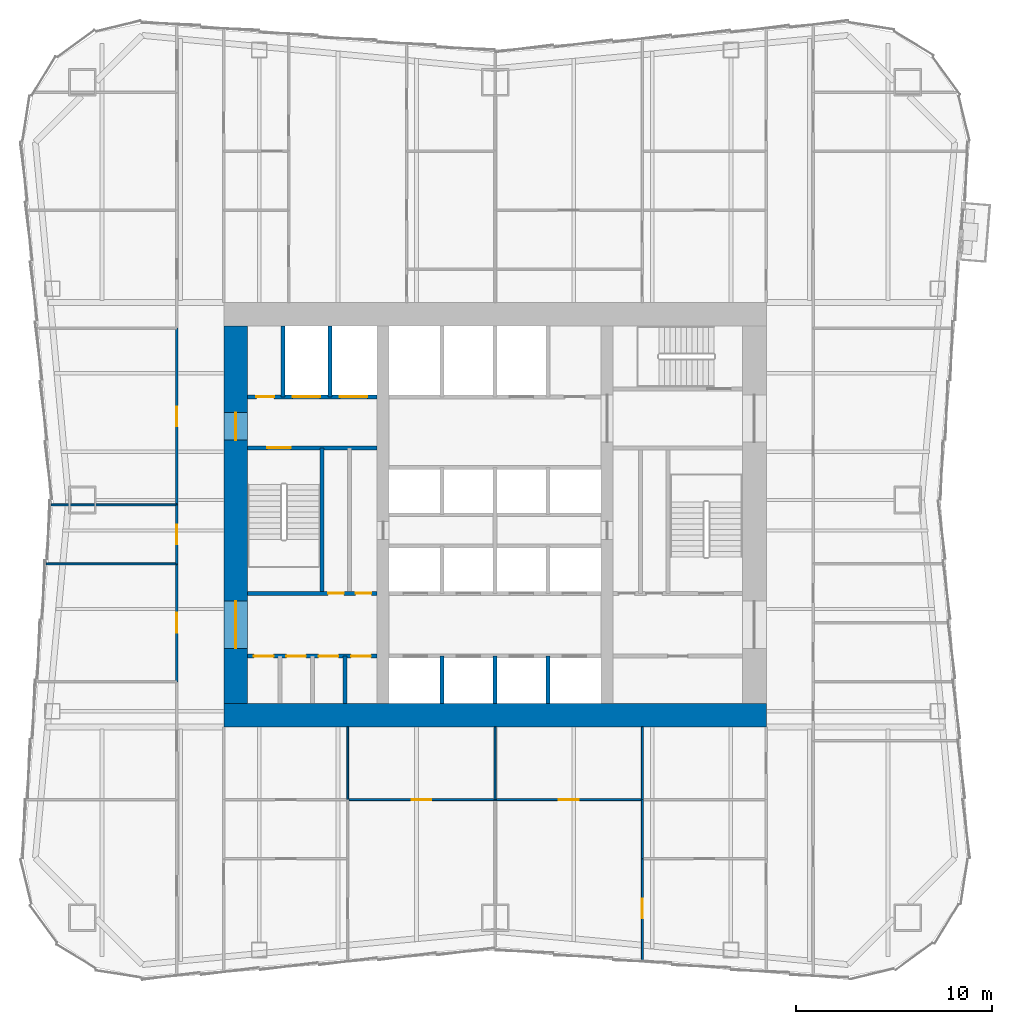
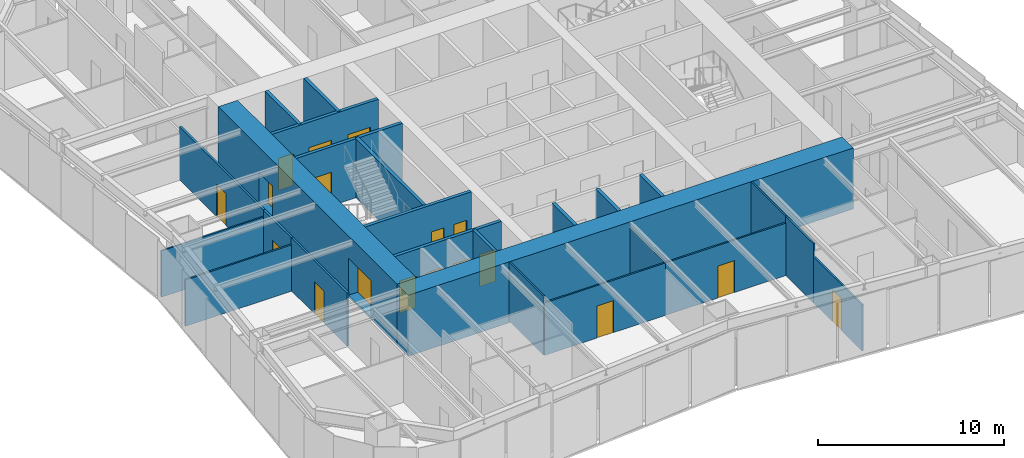
# One storey, part 4 of 9: 25 walls, 18 doors, 18 openings.
"""IFC4 building model written with IfcOpenShell, lengths in metres."""

from ifc_helpers import new_model, si_unit, direction, frame, frame_2d, origin, place, context, subcontext, project, spatial, rectangle, extrude, material, layer, layer_set, type_object, element, fill, save


model = new_model("IFC4")

# Units and contexts
model_context = context("Model", 3, precision=1e-05, world=origin(), true_north=direction((0.0, 1.0)))
body_context = subcontext(model_context, "Body", "Model", "MODEL_VIEW")
ifc_project = project(units=[si_unit("LENGTHUNIT", "METRE"), si_unit("AREAUNIT", "SQUARE_METRE"), si_unit("VOLUMEUNIT", "CUBIC_METRE"), si_unit("PLANEANGLEUNIT", "RADIAN"), si_unit("MASSUNIT", "GRAM", prefix="KILO")], contexts=[model_context])

# Site, building, storey
site_placement = place(None, origin())
site = spatial("IfcSite", under=ifc_project, at=site_placement, CompositionType="ELEMENT")
building_placement = place(site_placement, origin())
building = spatial("IfcBuilding", under=site, at=building_placement, Name="Verdant Reach Tower", CompositionType="ELEMENT")
storey_placement = place(building_placement, frame((0.0, 0.0, 74.0)))
storey = spatial("IfcBuildingStorey", under=building, at=storey_placement, Name="L16", CompositionType="ELEMENT", Elevation=74.0)

# Wall, openings, doors
ifc_material_1 = material(Name="Gypsum board on steel studs", Category="steel")
ifc_layer_1 = layer(ifc_material_1, 0.199951171875)
ifc_layer_set_1 = layer_set([ifc_layer_1], Name="CO-WALL-ROOM")
wall_type_1 = type_object("IfcWallType", Name="CO-WALL-ROOM", PredefinedType="PARTITIONING", material=ifc_layer_set_1)
wall_1_placement = place(storey_placement, frame((-12.60009765625, 20.800048828125, 0.0), z_axis=(0.0, 0.0, 1.0), x_axis=(1.0, 0.0, 0.0)))
wall_1 = element("IfcWall", 1, at=wall_1_placement, inside=storey, type_object=wall_type_1, Name="Core partition, L16", PredefinedType="PARTITIONING", context=body_context, shape_type="SweptSolid", body=[
    extrude(rectangle(XDim=6.60009765625, YDim=0.199951171875, at=frame_2d((3.300048828125, 0.0))), origin(), (0.0, 0.0, 1.0), 3.8701171875),
])
opening_1_placement = place(wall_1_placement, frame((0.324951171875, 0.0, 0.0)))
opening_1 = element("IfcOpeningElement", 2, at=opening_1_placement, cuts=wall_1, Name="Opening CD", PredefinedType="OPENING", context=body_context, shape_type="SweptSolid", body=[
    extrude(rectangle(XDim=1.0, YDim=2.10009765625, at=frame_2d((0.5, 1.050048828125))), frame((0.0, 0.10986328125, 0.0), z_axis=(0.0, -1.0, 0.0), x_axis=(1.0, 0.0, 0.0)), (0.0, 0.0, 1.0), 0.219970703125),
])
opening_2_placement = place(wall_1_placement, frame((1.97509765625, 0.0, 0.0)))
opening_2 = element("IfcOpeningElement", 3, at=opening_2_placement, cuts=wall_1, Name="Opening CD", PredefinedType="OPENING", context=body_context, shape_type="SweptSolid", body=[
    extrude(rectangle(XDim=1.0, YDim=2.10009765625, at=frame_2d((0.5, 1.050048828125))), frame((0.0, 0.10986328125, 0.0), z_axis=(0.0, -1.0, 0.0), x_axis=(1.0, 0.0, 0.0)), (0.0, 0.0, 1.0), 0.219970703125),
])
opening_3_placement = place(wall_1_placement, frame((3.625, 0.0, 0.0)))
opening_3 = element("IfcOpeningElement", 4, at=opening_3_placement, cuts=wall_1, Name="Opening CD", PredefinedType="OPENING", context=body_context, shape_type="SweptSolid", body=[
    extrude(rectangle(XDim=1.0, YDim=2.10009765625, at=frame_2d((0.5, 1.050048828125))), frame((0.0, 0.10986328125, 0.0), z_axis=(0.0, -1.0, 0.0), x_axis=(1.0, 0.0, 0.0)), (0.0, 0.0, 1.0), 0.219970703125),
])
opening_4_placement = place(wall_1_placement, frame((5.27490234375, 0.0, 0.0)))
opening_4 = element("IfcOpeningElement", 5, at=opening_4_placement, cuts=wall_1, Name="Opening CD", PredefinedType="OPENING", context=body_context, shape_type="SweptSolid", body=[
    extrude(rectangle(XDim=1.0, YDim=2.10009765625, at=frame_2d((0.5, 1.050048828125))), frame((0.0, 0.10986328125, 0.0), z_axis=(0.0, -1.0, 0.0), x_axis=(1.0, 0.0, 0.0)), (0.0, 0.0, 1.0), 0.219970703125),
])
ifc_material_2 = material(Name="Timber", Category="wood")
door_type_1 = type_object("IfcDoorType", Name="CO-DOOR-ROOM", OperationType="NOTDEFINED", PredefinedType="DOOR", material=ifc_material_2)
door_1_placement = place(opening_1_placement, origin())
door_1 = element("IfcDoor", 6, at=door_1_placement, inside=storey, type_object=door_type_1, Name="Core room door, L16", OperationType="SINGLE_SWING_RIGHT", OverallHeight=2.10009765625, OverallWidth=1.0, PredefinedType="DOOR", context=body_context, shape_type="SweptSolid", body=[
    extrude(rectangle(XDim=1.0, YDim=2.10009765625, at=frame_2d((0.5, 1.050048828125))), frame((0.0, 0.02490234375, 0.0), z_axis=(0.0, -1.0, 0.0), x_axis=(1.0, 0.0, 0.0)), (0.0, 0.0, 1.0), 0.050048828125),
])
fill(opening_1, door_1)
door_2_placement = place(opening_2_placement, origin())
door_2 = element("IfcDoor", 7, at=door_2_placement, inside=storey, type_object=door_type_1, Name="Core room door, L16", OperationType="SINGLE_SWING_RIGHT", OverallHeight=2.10009765625, OverallWidth=1.0, PredefinedType="DOOR", context=body_context, shape_type="SweptSolid", body=[
    extrude(rectangle(XDim=1.0, YDim=2.10009765625, at=frame_2d((0.5, 1.050048828125))), frame((0.0, 0.02490234375, 0.0), z_axis=(0.0, -1.0, 0.0), x_axis=(1.0, 0.0, 0.0)), (0.0, 0.0, 1.0), 0.050048828125),
])
fill(opening_2, door_2)
door_3_placement = place(opening_3_placement, origin())
door_3 = element("IfcDoor", 8, at=door_3_placement, inside=storey, type_object=door_type_1, Name="Core room door, L16", OperationType="SINGLE_SWING_LEFT", OverallHeight=2.10009765625, OverallWidth=1.0, PredefinedType="DOOR", context=body_context, shape_type="SweptSolid", body=[
    extrude(rectangle(XDim=1.0, YDim=2.10009765625, at=frame_2d((0.5, 1.050048828125))), frame((0.0, 0.02490234375, 0.0), z_axis=(0.0, -1.0, 0.0), x_axis=(1.0, 0.0, 0.0)), (0.0, 0.0, 1.0), 0.050048828125),
])
fill(opening_3, door_3)
door_4_placement = place(opening_4_placement, origin())
door_4 = element("IfcDoor", 9, at=door_4_placement, inside=storey, type_object=door_type_1, Name="Core room door, L16", OperationType="SINGLE_SWING_LEFT", OverallHeight=2.10009765625, OverallWidth=1.0, PredefinedType="DOOR", context=body_context, shape_type="SweptSolid", body=[
    extrude(rectangle(XDim=1.0, YDim=2.10009765625, at=frame_2d((0.5, 1.050048828125))), frame((0.0, 0.02490234375, 0.0), z_axis=(0.0, -1.0, 0.0), x_axis=(1.0, 0.0, 0.0)), (0.0, 0.0, 1.0), 0.050048828125),
])
fill(opening_4, door_4)

# Wall
wall_2_placement = place(storey_placement, frame((-7.64990234375, 18.39990234375, 0.0), z_axis=(0.0, 0.0, 1.0), x_axis=(0.0, 1.0, 0.0)))
element("IfcWall", 10, at=wall_2_placement, inside=storey, type_object=wall_type_1, Name="Core partition, L16", PredefinedType="PARTITIONING", context=body_context, shape_type="SweptSolid", body=[
    extrude(rectangle(XDim=2.400146484375, YDim=0.199951171875, at=frame_2d((1.2001953125, 0.0))), origin(), (0.0, 0.0, 1.0), 3.8701171875),
])

# Wall, openings, doors
ifc_material_3 = material(Name="Concrete C40/50", Category="concrete")
ifc_layer_2 = layer(ifc_material_3, 0.199951171875)
ifc_layer_set_2 = layer_set([ifc_layer_2], Name="CO-WALL-SHAFT")
wall_type_2 = type_object("IfcWallType", Name="CO-WALL-SHAFT", PredefinedType="PARTITIONING", material=ifc_layer_set_2)
wall_3_placement = place(storey_placement, frame((-12.60009765625, 34.0, 0.0), z_axis=(0.0, 0.0, 1.0), x_axis=(1.0, 0.0, 0.0)))
wall_3 = element("IfcWall", 11, at=wall_3_placement, inside=storey, type_object=wall_type_2, Name="Lift shaft wall, L16", PredefinedType="PARTITIONING", context=body_context, shape_type="SweptSolid", body=[
    extrude(rectangle(XDim=6.60009765625, YDim=0.199951171875, at=frame_2d((3.300048828125, 0.0))), origin(), (0.0, 0.0, 1.0), 3.8701171875),
])
opening_5_placement = place(wall_3_placement, frame((4.699951171875, 0.0, 0.0)))
opening_5 = element("IfcOpeningElement", 12, at=opening_5_placement, cuts=wall_3, Name="Opening LD-F1", PredefinedType="OPENING", context=body_context, shape_type="SweptSolid", body=[
    extrude(rectangle(XDim=1.39990234375, YDim=2.199951171875, at=frame_2d((0.699951171875, 1.10009765625))), frame((0.0, 0.10986328125, 0.0), z_axis=(0.0, -1.0, 0.0), x_axis=(1.0, 0.0, 0.0)), (0.0, 0.0, 1.0), 0.219970703125),
])
opening_6_placement = place(wall_3_placement, frame((2.300048828125, 0.0, 0.0)))
opening_6 = element("IfcOpeningElement", 13, at=opening_6_placement, cuts=wall_3, Name="Opening LD-F2", PredefinedType="OPENING", context=body_context, shape_type="SweptSolid", body=[
    extrude(rectangle(XDim=1.39990234375, YDim=2.199951171875, at=frame_2d((0.699951171875, 1.10009765625))), frame((0.0, 0.10986328125, 0.0), z_axis=(0.0, -1.0, 0.0), x_axis=(1.0, 0.0, 0.0)), (0.0, 0.0, 1.0), 0.219970703125),
])
opening_7_placement = place(wall_3_placement, frame((0.449951171875, 0.0, 0.0)))
opening_7 = element("IfcOpeningElement", 14, at=opening_7_placement, cuts=wall_3, Name="Opening RD", PredefinedType="OPENING", context=body_context, shape_type="SweptSolid", body=[
    extrude(rectangle(XDim=0.89990234375, YDim=2.10009765625, at=frame_2d((0.449951171875, 1.050048828125))), frame((0.0, 0.10986328125, 0.0), z_axis=(0.0, -1.0, 0.0), x_axis=(1.0, 0.0, 0.0)), (0.0, 0.0, 1.0), 0.219970703125),
])
ifc_material_4 = material(Name="Stainless steel", Category="steel")
door_type_2 = type_object("IfcDoorType", Name="CO-DOOR-LANDING-FF", OperationType="SLIDING_TO_LEFT", PredefinedType="DOOR", material=ifc_material_4)
door_5_placement = place(opening_5_placement, origin())
door_5 = element("IfcDoor", 15, at=door_5_placement, inside=storey, type_object=door_type_2, Name="Landing door F1, L16", OperationType="SLIDING_TO_LEFT", OverallHeight=2.199951171875, OverallWidth=1.39990234375, PredefinedType="DOOR", context=body_context, shape_type="SweptSolid", body=[
    extrude(rectangle(XDim=1.39990234375, YDim=2.199951171875, at=frame_2d((0.699951171875, 1.10009765625))), frame((0.0, 0.02490234375, 0.0), z_axis=(0.0, -1.0, 0.0), x_axis=(1.0, 0.0, 0.0)), (0.0, 0.0, 1.0), 0.050048828125),
])
fill(opening_5, door_5)
door_6_placement = place(opening_6_placement, origin())
door_6 = element("IfcDoor", 16, at=door_6_placement, inside=storey, type_object=door_type_2, Name="Landing door F2, L16", OperationType="SLIDING_TO_LEFT", OverallHeight=2.199951171875, OverallWidth=1.39990234375, PredefinedType="DOOR", context=body_context, shape_type="SweptSolid", body=[
    extrude(rectangle(XDim=1.39990234375, YDim=2.199951171875, at=frame_2d((0.699951171875, 1.10009765625))), frame((0.0, 0.02490234375, 0.0), z_axis=(0.0, -1.0, 0.0), x_axis=(1.0, 0.0, 0.0)), (0.0, 0.0, 1.0), 0.050048828125),
])
fill(opening_6, door_6)
ifc_material_5 = material(Name="Steel", Category="steel")
door_type_3 = type_object("IfcDoorType", Name="CO-DOOR-RISER", OperationType="NOTDEFINED", PredefinedType="DOOR", material=ifc_material_5)
door_7_placement = place(opening_7_placement, origin())
door_7 = element("IfcDoor", 17, at=door_7_placement, inside=storey, type_object=door_type_3, Name="Core room door, L16", OperationType="SINGLE_SWING_RIGHT", OverallHeight=2.10009765625, OverallWidth=0.89990234375, PredefinedType="DOOR", context=body_context, shape_type="SweptSolid", body=[
    extrude(rectangle(XDim=0.89990234375, YDim=2.10009765625, at=frame_2d((0.449951171875, 1.050048828125))), frame((0.0, 0.02490234375, 0.0), z_axis=(0.0, -1.0, 0.0), x_axis=(1.0, 0.0, 0.0)), (0.0, 0.0, 1.0), 0.050048828125),
])
fill(opening_7, door_7)

# Walls
for number, where, z_axis, x_axis, name in (
    (18, (-10.800048828125, 34.0, 0.0), (0.0, 0.0, 1.0), (0.0, 1.0, 0.0), "Lift shaft wall, L16"),
    (19, (-8.39990234375, 34.0, 0.0), (0.0, 0.0, 1.0), (0.0, 1.0, 0.0), "Lift shaft wall, L16"),
):
    element("IfcWall", number, at=place(storey_placement, frame(where, z_axis=z_axis, x_axis=x_axis)), inside=storey, type_object=wall_type_2, Name=name, PredefinedType="PARTITIONING", context=body_context, shape_type="SweptSolid", body=[
        extrude(rectangle(XDim=3.60009765625, YDim=0.199951171875, at=frame_2d((1.800048828125, 0.0))), origin(), (0.0, 0.0, 1.0), 3.8701171875),
    ])
for number, where, z_axis, x_axis, name in (
    (20, (-2.699951171875, 18.39990234375, 0.0), (0.0, 0.0, 1.0), (0.0, 1.0, 0.0), "Lift shaft wall, L16"),
    (21, (0.0, 18.39990234375, 0.0), (0.0, 0.0, 1.0), (0.0, 1.0, 0.0), "Lift shaft wall, L16"),
    (22, (2.699951171875, 18.39990234375, 0.0), (0.0, 0.0, 1.0), (0.0, 1.0, 0.0), "Lift shaft wall, L16"),
):
    element("IfcWall", number, at=place(storey_placement, frame(where, z_axis=z_axis, x_axis=x_axis)), inside=storey, type_object=wall_type_2, Name=name, PredefinedType="PARTITIONING", context=body_context, shape_type="SweptSolid", body=[
        extrude(rectangle(XDim=2.400146484375, YDim=0.199951171875, at=frame_2d((1.2001953125, 0.0))), origin(), (0.0, 0.0, 1.0), 3.8701171875),
    ])

# Wall, openings, doors
ifc_layer_3 = layer(ifc_material_3, 0.199951171875)
ifc_layer_set_3 = layer_set([ifc_layer_3], Name="CO-WALL-STAIR")
wall_type_3 = type_object("IfcWallType", Name="CO-WALL-STAIR", PredefinedType="PARTITIONING", material=ifc_layer_set_3)
wall_4_placement = place(storey_placement, frame((-12.60009765625, 24.0, 0.0), z_axis=(0.0, 0.0, 1.0), x_axis=(1.0, 0.0, 0.0)))
wall_4 = element("IfcWall", 23, at=wall_4_placement, inside=storey, type_object=wall_type_3, Name="Stair enclosure wall, L16", PredefinedType="PARTITIONING", context=body_context, shape_type="SweptSolid", body=[
    extrude(rectangle(XDim=6.60009765625, YDim=0.199951171875, at=frame_2d((3.300048828125, 0.0))), origin(), (0.0, 0.0, 1.0), 3.8701171875),
])
opening_8_placement = place(wall_4_placement, frame((4.10009765625, 0.0, 0.0)))
opening_8 = element("IfcOpeningElement", 24, at=opening_8_placement, cuts=wall_4, Name="Opening CDN", PredefinedType="OPENING", context=body_context, shape_type="SweptSolid", body=[
    extrude(rectangle(XDim=0.800048828125, YDim=2.10009765625, at=frame_2d((0.39990234375, 1.050048828125))), frame((0.0, 0.10986328125, 0.0), z_axis=(0.0, -1.0, 0.0), x_axis=(1.0, 0.0, 0.0)), (0.0, 0.0, 1.0), 0.219970703125),
])
opening_9_placement = place(wall_4_placement, frame((5.5, 0.0, 0.0)))
opening_9 = element("IfcOpeningElement", 25, at=opening_9_placement, cuts=wall_4, Name="Opening CDN", PredefinedType="OPENING", context=body_context, shape_type="SweptSolid", body=[
    extrude(rectangle(XDim=0.800048828125, YDim=2.10009765625, at=frame_2d((0.39990234375, 1.050048828125))), frame((0.0, 0.10986328125, 0.0), z_axis=(0.0, -1.0, 0.0), x_axis=(1.0, 0.0, 0.0)), (0.0, 0.0, 1.0), 0.219970703125),
])
door_type_4 = type_object("IfcDoorType", Name="CO-DOOR-ROOM-NARROW", OperationType="NOTDEFINED", PredefinedType="DOOR", material=ifc_material_2)
door_8_placement = place(opening_8_placement, origin())
door_8 = element("IfcDoor", 26, at=door_8_placement, inside=storey, type_object=door_type_4, Name="Core room door, L16", OperationType="SINGLE_SWING_RIGHT", OverallHeight=2.10009765625, OverallWidth=0.800048828125, PredefinedType="DOOR", context=body_context, shape_type="SweptSolid", body=[
    extrude(rectangle(XDim=0.800048828125, YDim=2.10009765625, at=frame_2d((0.39990234375, 1.050048828125))), frame((0.0, 0.02490234375, 0.0), z_axis=(0.0, -1.0, 0.0), x_axis=(1.0, 0.0, 0.0)), (0.0, 0.0, 1.0), 0.050048828125),
])
fill(opening_8, door_8)
door_9_placement = place(opening_9_placement, origin())
door_9 = element("IfcDoor", 27, at=door_9_placement, inside=storey, type_object=door_type_4, Name="Core room door, L16", OperationType="SINGLE_SWING_LEFT", OverallHeight=2.10009765625, OverallWidth=0.800048828125, PredefinedType="DOOR", context=body_context, shape_type="SweptSolid", body=[
    extrude(rectangle(XDim=0.800048828125, YDim=2.10009765625, at=frame_2d((0.39990234375, 1.050048828125))), frame((0.0, 0.02490234375, 0.0), z_axis=(0.0, -1.0, 0.0), x_axis=(1.0, 0.0, 0.0)), (0.0, 0.0, 1.0), 0.050048828125),
])
fill(opening_9, door_9)

# Wall, opening, door
wall_5_placement = place(storey_placement, frame((-12.60009765625, 31.39990234375, 0.0), z_axis=(0.0, 0.0, 1.0), x_axis=(1.0, 0.0, 0.0)))
wall_5 = element("IfcWall", 28, at=wall_5_placement, inside=storey, type_object=wall_type_3, Name="Stair enclosure wall, L16", PredefinedType="PARTITIONING", context=body_context, shape_type="SweptSolid", body=[
    extrude(rectangle(XDim=6.60009765625, YDim=0.199951171875, at=frame_2d((3.300048828125, 0.0))), origin(), (0.0, 0.0, 1.0), 3.8701171875),
])
opening_10_placement = place(wall_5_placement, frame((1.0, 0.0, 0.0)))
opening_10 = element("IfcOpeningElement", 29, at=opening_10_placement, cuts=wall_5, Name="Opening SD", PredefinedType="OPENING", context=body_context, shape_type="SweptSolid", body=[
    extrude(rectangle(XDim=1.199951171875, YDim=2.199951171875, at=frame_2d((0.60009765625, 1.10009765625))), frame((0.0, 0.10986328125, 0.0), z_axis=(0.0, -1.0, 0.0), x_axis=(1.0, 0.0, 0.0)), (0.0, 0.0, 1.0), 0.219970703125),
])
door_type_5 = type_object("IfcDoorType", Name="CO-DOOR-STAIR", OperationType="NOTDEFINED", PredefinedType="DOOR", material=ifc_material_5)
door_10_placement = place(opening_10_placement, origin())
door_10 = element("IfcDoor", 30, at=door_10_placement, inside=storey, type_object=door_type_5, Name="Stair door, L16", OperationType="SINGLE_SWING_RIGHT", OverallHeight=2.199951171875, OverallWidth=1.199951171875, PredefinedType="DOOR", context=body_context, shape_type="SweptSolid", body=[
    extrude(rectangle(XDim=1.199951171875, YDim=2.199951171875, at=frame_2d((0.60009765625, 1.10009765625))), frame((0.0, 0.02490234375, 0.0), z_axis=(0.0, -1.0, 0.0), x_axis=(1.0, 0.0, 0.0)), (0.0, 0.0, 1.0), 0.050048828125),
])
fill(opening_10, door_10)

# Walls
wall_6_placement = place(storey_placement, frame((-8.800048828125, 24.0, 0.0), z_axis=(0.0, 0.0, 1.0), x_axis=(0.0, 1.0, 0.0)))
element("IfcWall", 31, at=wall_6_placement, inside=storey, type_object=wall_type_3, Name="Stair enclosure wall, L16", PredefinedType="PARTITIONING", context=body_context, shape_type="SweptSolid", body=[
    extrude(rectangle(XDim=7.39990234375, YDim=0.199951171875, at=frame_2d((3.699951171875, 0.0))), origin(), (0.0, 0.0, 1.0), 3.8701171875),
])
ifc_layer_4 = layer(ifc_material_1, 0.10009765625)
ifc_layer_set_4 = layer_set([ifc_layer_4], Name="FL-W1 Partition 100")
wall_type_4 = type_object("IfcWallType", Name="FL-W1 Partition 100", PredefinedType="PARTITIONING", material=ifc_layer_set_4)
wall_7_placement = place(storey_placement, frame((-16.199951171875, 25.5, 0.0), z_axis=(0.0, 0.0, 1.0), x_axis=(-1.0, 0.0, 0.0)))
element("IfcWall", 32, at=wall_7_placement, inside=storey, type_object=wall_type_4, Name="Partition 16.31", PredefinedType="PARTITIONING", context=body_context, shape_type="SweptSolid", body=[
    extrude(rectangle(XDim=6.647216796875, YDim=0.10009765625, at=frame_2d((3.32373046875, 0.0))), origin(), (0.0, 0.0, 1.0), 3.0400390625),
])
wall_8_placement = place(storey_placement, frame((-16.199951171875, 28.5, 0.0), z_axis=(0.0, 0.0, 1.0), x_axis=(-1.0, 0.0, 0.0)))
element("IfcWall", 33, at=wall_8_placement, inside=storey, type_object=wall_type_4, Name="Partition 16.32", PredefinedType="PARTITIONING", context=body_context, shape_type="SweptSolid", body=[
    extrude(rectangle(XDim=6.400634765625, YDim=0.10009765625, at=frame_2d((3.2001953125, 0.0))), origin(), (0.0, 0.0, 1.0), 3.0400390625),
])
wall_9_placement = place(storey_placement, frame((-7.5, 13.5, 0.0), z_axis=(0.0, 0.0, 1.0), x_axis=(0.0, 1.0, 0.0)))
element("IfcWall", 34, at=wall_9_placement, inside=storey, type_object=wall_type_4, Name="Partition 16.47", PredefinedType="PARTITIONING", context=body_context, shape_type="SweptSolid", body=[
    extrude(rectangle(XDim=3.699951171875, YDim=0.10009765625, at=frame_2d((1.85009765625, 0.0))), origin(), (0.0, 0.0, 1.0), 3.8701171875),
])

# Wall, opening, door
wall_10_placement = place(storey_placement, frame((-7.5, 13.5, 0.0), z_axis=(0.0, 0.0, 1.0), x_axis=(1.0, 0.0, 0.0)))
wall_10 = element("IfcWall", 35, at=wall_10_placement, inside=storey, type_object=wall_type_4, Name="Partition 16.48", PredefinedType="PARTITIONING", context=body_context, shape_type="SweptSolid", body=[
    extrude(rectangle(XDim=7.5, YDim=0.10009765625, at=frame_2d((3.75, 0.0))), origin(), (0.0, 0.0, 1.0), 3.43994140625),
])
opening_11_placement = place(wall_10_placement, frame((3.25, 0.0, 0.0)))
opening_11 = element("IfcOpeningElement", 36, at=opening_11_placement, cuts=wall_10, Name="Opening D3", PredefinedType="OPENING", context=body_context, shape_type="SweptSolid", body=[
    extrude(rectangle(XDim=1.0, YDim=2.10009765625, at=frame_2d((0.5, 1.050048828125))), frame((0.0, 0.06005859375, 0.0), z_axis=(0.0, -1.0, 0.0), x_axis=(1.0, 0.0, 0.0)), (0.0, 0.0, 1.0), 0.1201171875),
])
ifc_material_6 = material(Name="Painted timber door leaf", Category="wood")
door_type_6 = type_object("IfcDoorType", Name="FL-D3 Door 1000x2100", OperationType="NOTDEFINED", PredefinedType="DOOR", material=ifc_material_6)
door_11_placement = place(opening_11_placement, origin())
door_11 = element("IfcDoor", 37, at=door_11_placement, inside=storey, type_object=door_type_6, Name="Door 16-026", OperationType="SINGLE_SWING_RIGHT", OverallHeight=2.10009765625, OverallWidth=1.0, PredefinedType="DOOR", context=body_context, shape_type="SweptSolid", body=[
    extrude(rectangle(XDim=1.0, YDim=2.10009765625, at=frame_2d((0.5, 1.050048828125))), frame((0.0, 0.02490234375, 0.0), z_axis=(0.0, -1.0, 0.0), x_axis=(1.0, 0.0, 0.0)), (0.0, 0.0, 1.0), 0.050048828125),
])
fill(opening_11, door_11)

# Wall
wall_11_placement = place(storey_placement, frame((0.0, 13.5, 0.0), z_axis=(0.0, 0.0, 1.0), x_axis=(0.0, 1.0, 0.0)))
element("IfcWall", 38, at=wall_11_placement, inside=storey, type_object=wall_type_4, Name="Partition 16.50", PredefinedType="PARTITIONING", context=body_context, shape_type="SweptSolid", body=[
    extrude(rectangle(XDim=3.699951171875, YDim=0.10009765625, at=frame_2d((1.85009765625, 0.0))), origin(), (0.0, 0.0, 1.0), 3.47998046875),
])

# Wall, opening, door
wall_12_placement = place(storey_placement, frame((7.5, 5.294921875, 0.0), z_axis=(0.0, 0.0, 1.0), x_axis=(0.0, 1.0, 0.0)))
wall_12 = element("IfcWall", 39, at=wall_12_placement, inside=storey, type_object=wall_type_4, Name="Partition 16.52", PredefinedType="PARTITIONING", context=body_context, shape_type="SweptSolid", body=[
    extrude(rectangle(XDim=5.208984375, YDim=0.10009765625, at=frame_2d((2.6044921875, 0.0))), origin(), (0.0, 0.0, 1.0), 3.0400390625),
])
opening_12_placement = place(wall_12_placement, frame((2.169677734375, 0.0, 0.0)))
opening_12 = element("IfcOpeningElement", 40, at=opening_12_placement, cuts=wall_12, Name="Opening D3", PredefinedType="OPENING", context=body_context, shape_type="SweptSolid", body=[
    extrude(rectangle(XDim=1.0, YDim=2.10009765625, at=frame_2d((0.5, 1.050048828125))), frame((0.0, 0.06005859375, 0.0), z_axis=(0.0, -1.0, 0.0), x_axis=(1.0, 0.0, 0.0)), (0.0, 0.0, 1.0), 0.1201171875),
])
door_12_placement = place(opening_12_placement, origin())
door_12 = element("IfcDoor", 41, at=door_12_placement, inside=storey, type_object=door_type_6, Name="Door 16-028", OperationType="SINGLE_SWING_RIGHT", OverallHeight=2.10009765625, OverallWidth=1.0, PredefinedType="DOOR", context=body_context, shape_type="SweptSolid", body=[
    extrude(rectangle(XDim=1.0, YDim=2.10009765625, at=frame_2d((0.5, 1.050048828125))), frame((0.0, 0.02490234375, 0.0), z_axis=(0.0, -1.0, 0.0), x_axis=(1.0, 0.0, 0.0)), (0.0, 0.0, 1.0), 0.050048828125),
])
fill(opening_12, door_12)

# Walls
wall_13_placement = place(storey_placement, frame((7.5, 13.5, 0.0), z_axis=(0.0, 0.0, 1.0), x_axis=(0.0, -1.0, 0.0)))
element("IfcWall", 42, at=wall_13_placement, inside=storey, type_object=wall_type_4, Name="Partition 16.54", PredefinedType="PARTITIONING", context=body_context, shape_type="SweptSolid", body=[
    extrude(rectangle(XDim=3.00390625, YDim=0.10009765625, at=frame_2d((1.501953125, 0.0))), origin(), (0.0, 0.0, 1.0), 3.8701171875),
])
wall_14_placement = place(storey_placement, frame((7.5, 17.199951171875, 0.0), z_axis=(0.0, 0.0, 1.0), x_axis=(0.0, -1.0, 0.0)))
element("IfcWall", 43, at=wall_14_placement, inside=storey, type_object=wall_type_4, Name="Partition 16.55", PredefinedType="PARTITIONING", context=body_context, shape_type="SweptSolid", body=[
    extrude(rectangle(XDim=3.699951171875, YDim=0.10009765625, at=frame_2d((1.85009765625, 0.0))), origin(), (0.0, 0.0, 1.0), 3.8701171875),
])

# Wall, opening, door
wall_15_placement = place(storey_placement, frame((0.0, 13.5, 0.0), z_axis=(0.0, 0.0, 1.0), x_axis=(1.0, 0.0, 0.0)))
wall_15 = element("IfcWall", 44, at=wall_15_placement, inside=storey, type_object=wall_type_4, Name="Partition 16.56", PredefinedType="PARTITIONING", context=body_context, shape_type="SweptSolid", body=[
    extrude(rectangle(XDim=7.5, YDim=0.10009765625, at=frame_2d((3.75, 0.0))), origin(), (0.0, 0.0, 1.0), 3.43994140625),
])
opening_13_placement = place(wall_15_placement, frame((3.25, 0.0, 0.0)))
opening_13 = element("IfcOpeningElement", 45, at=opening_13_placement, cuts=wall_15, Name="Opening D3", PredefinedType="OPENING", context=body_context, shape_type="SweptSolid", body=[
    extrude(rectangle(XDim=1.0, YDim=2.10009765625, at=frame_2d((0.5, 1.050048828125))), frame((0.0, 0.06005859375, 0.0), z_axis=(0.0, -1.0, 0.0), x_axis=(1.0, 0.0, 0.0)), (0.0, 0.0, 1.0), 0.1201171875),
])
door_13_placement = place(opening_13_placement, origin())
door_13 = element("IfcDoor", 46, at=door_13_placement, inside=storey, type_object=door_type_6, Name="Door 16-029", OperationType="SINGLE_SWING_LEFT", OverallHeight=2.10009765625, OverallWidth=1.0, PredefinedType="DOOR", context=body_context, shape_type="SweptSolid", body=[
    extrude(rectangle(XDim=1.0, YDim=2.10009765625, at=frame_2d((0.5, 1.050048828125))), frame((0.0, 0.02490234375, 0.0), z_axis=(0.0, -1.0, 0.0), x_axis=(1.0, 0.0, 0.0)), (0.0, 0.0, 1.0), 0.050048828125),
])
fill(opening_13, door_13)

ifc_material_7 = material(Name="Gypsum board on steel studs, fire rated", Category="steel")
ifc_layer_5 = layer(ifc_material_7, 0.125)
ifc_layer_set_5 = layer_set([ifc_layer_5], Name="FL-W2 Corridor wall 125")
wall_type_5 = type_object("IfcWallType", Name="FL-W2 Corridor wall 125", PredefinedType="PARTITIONING", material=ifc_layer_set_5)
wall_16_placement = place(storey_placement, frame((-16.199951171875, 19.5, 0.0), z_axis=(0.0, 0.0, 1.0), x_axis=(0.0, 1.0, 0.0)))
wall_16 = element("IfcWall", 47, at=wall_16_placement, inside=storey, type_object=wall_type_5, Name="Partition 16.03", PredefinedType="PARTITIONING", context=body_context, shape_type="SweptSolid", body=[
    extrude(rectangle(XDim=6.0, YDim=0.125, at=frame_2d((3.0, 0.0))), origin(), (0.0, 0.0, 1.0), 3.47998046875),
])
opening_14_placement = place(wall_16_placement, frame((2.5, 0.0, 0.0)))
opening_14 = element("IfcOpeningElement", 48, at=opening_14_placement, cuts=wall_16, Name="Opening D2", PredefinedType="OPENING", context=body_context, shape_type="SweptSolid", body=[
    extrude(rectangle(XDim=1.0, YDim=2.10009765625, at=frame_2d((0.5, 1.050048828125))), frame((0.0, 0.072509765625, 0.0), z_axis=(0.0, -1.0, 0.0), x_axis=(1.0, 0.0, 0.0)), (0.0, 0.0, 1.0), 0.14501953125),
])
ifc_material_8 = material(Name="Timber door leaf, fire rated", Category="wood")
door_type_7 = type_object("IfcDoorType", Name="FL-D2 Entrance door 1000x2100 FD30", OperationType="NOTDEFINED", PredefinedType="DOOR", material=ifc_material_8)
door_14_placement = place(opening_14_placement, origin())
door_14 = element("IfcDoor", 49, at=door_14_placement, inside=storey, type_object=door_type_7, Name="Door 16-003", OperationType="SINGLE_SWING_LEFT", OverallHeight=2.10009765625, OverallWidth=1.0, PredefinedType="DOOR", context=body_context, shape_type="SweptSolid", body=[
    extrude(rectangle(XDim=1.0, YDim=2.10009765625, at=frame_2d((0.5, 1.050048828125))), frame((0.0, 0.02490234375, 0.0), z_axis=(0.0, -1.0, 0.0), x_axis=(1.0, 0.0, 0.0)), (0.0, 0.0, 1.0), 0.050048828125),
])
fill(opening_14, door_14)

wall_17_placement = place(storey_placement, frame((-16.199951171875, 25.5, 0.0), z_axis=(0.0, 0.0, 1.0), x_axis=(0.0, 1.0, 0.0)))
wall_17 = element("IfcWall", 50, at=wall_17_placement, inside=storey, type_object=wall_type_5, Name="Partition 16.04", PredefinedType="PARTITIONING", context=body_context, shape_type="SweptSolid", body=[
    extrude(rectangle(XDim=3.0, YDim=0.125, at=frame_2d((1.5, 0.0))), origin(), (0.0, 0.0, 1.0), 3.47998046875),
])
opening_15_placement = place(wall_17_placement, frame((1.0, 0.0, 0.0)))
opening_15 = element("IfcOpeningElement", 51, at=opening_15_placement, cuts=wall_17, Name="Opening D2", PredefinedType="OPENING", context=body_context, shape_type="SweptSolid", body=[
    extrude(rectangle(XDim=1.0, YDim=2.10009765625, at=frame_2d((0.5, 1.050048828125))), frame((0.0, 0.072509765625, 0.0), z_axis=(0.0, -1.0, 0.0), x_axis=(1.0, 0.0, 0.0)), (0.0, 0.0, 1.0), 0.14501953125),
])
door_15_placement = place(opening_15_placement, origin())
door_15 = element("IfcDoor", 52, at=door_15_placement, inside=storey, type_object=door_type_7, Name="Door 16-004", OperationType="SINGLE_SWING_RIGHT", OverallHeight=2.10009765625, OverallWidth=1.0, PredefinedType="DOOR", context=body_context, shape_type="SweptSolid", body=[
    extrude(rectangle(XDim=1.0, YDim=2.10009765625, at=frame_2d((0.5, 1.050048828125))), frame((0.0, 0.02490234375, 0.0), z_axis=(0.0, -1.0, 0.0), x_axis=(1.0, 0.0, 0.0)), (0.0, 0.0, 1.0), 0.050048828125),
])
fill(opening_15, door_15)

wall_18_placement = place(storey_placement, frame((-16.199951171875, 28.5, 0.0), z_axis=(0.0, 0.0, 1.0), x_axis=(0.0, 1.0, 0.0)))
wall_18 = element("IfcWall", 53, at=wall_18_placement, inside=storey, type_object=wall_type_5, Name="Partition 16.05", PredefinedType="PARTITIONING", context=body_context, shape_type="SweptSolid", body=[
    extrude(rectangle(XDim=9.0, YDim=0.125, at=frame_2d((4.5, 0.0))), origin(), (0.0, 0.0, 1.0), 3.47998046875),
])
opening_16_placement = place(wall_18_placement, frame((4.0, 0.0, 0.0)))
opening_16 = element("IfcOpeningElement", 54, at=opening_16_placement, cuts=wall_18, Name="Opening D2", PredefinedType="OPENING", context=body_context, shape_type="SweptSolid", body=[
    extrude(rectangle(XDim=1.0, YDim=2.10009765625, at=frame_2d((0.5, 1.050048828125))), frame((0.0, 0.072509765625, 0.0), z_axis=(0.0, -1.0, 0.0), x_axis=(1.0, 0.0, 0.0)), (0.0, 0.0, 1.0), 0.14501953125),
])
door_16_placement = place(opening_16_placement, origin())
door_16 = element("IfcDoor", 55, at=door_16_placement, inside=storey, type_object=door_type_7, Name="Door 16-005", OperationType="SINGLE_SWING_LEFT", OverallHeight=2.10009765625, OverallWidth=1.0, PredefinedType="DOOR", context=body_context, shape_type="SweptSolid", body=[
    extrude(rectangle(XDim=1.0, YDim=2.10009765625, at=frame_2d((0.5, 1.050048828125))), frame((0.0, 0.02490234375, 0.0), z_axis=(0.0, -1.0, 0.0), x_axis=(1.0, 0.0, 0.0)), (0.0, 0.0, 1.0), 0.050048828125),
])
fill(opening_16, door_16)

# Wall
ifc_material_9 = material(Name="Concrete C70/85", Category="concrete")
ifc_layer_6 = layer(ifc_material_9, 1.199951171875)
ifc_layer_set_6 = layer_set([ifc_layer_6], Name="ST-CORE-WALL-1200")
wall_type_6 = type_object("IfcWallType", Name="ST-CORE-WALL-1200", PredefinedType="SHEAR", material=ifc_layer_set_6)
wall_19_placement = place(storey_placement, frame((-13.800048828125, 17.800048828125, -0.1298828125), z_axis=(0.0, 0.0, 1.0), x_axis=(1.0, 0.0, 0.0)))
element("IfcWall", 56, at=wall_19_placement, inside=storey, type_object=wall_type_6, Name="Core wall S, L16", PredefinedType="SHEAR", context=body_context, shape_type="SweptSolid", body=[
    extrude(rectangle(XDim=27.60009765625, YDim=1.199951171875, at=frame_2d((13.800048828125, 0.0))), origin(), (0.0, 0.0, 1.0), 4.0),
])

# Wall, openings, doors
wall_20_placement = place(storey_placement, frame((-13.199951171875, 18.39990234375, -0.1298828125), z_axis=(0.0, 0.0, 1.0), x_axis=(0.0, 1.0, 0.0)))
wall_20 = element("IfcWall", 57, at=wall_20_placement, inside=storey, type_object=wall_type_6, Name="Core wall W, L16", PredefinedType="SHEAR", context=body_context, shape_type="SweptSolid", body=[
    extrude(rectangle(XDim=19.2001953125, YDim=1.199951171875, at=frame_2d((9.60009765625, 0.0))), origin(), (0.0, 0.0, 1.0), 4.0),
])
opening_17_placement = place(wall_20_placement, frame((2.800048828125, 0.0, 0.1298828125)))
opening_17 = element("IfcOpeningElement", 58, at=opening_17_placement, cuts=wall_20, Name="Opening LB", PredefinedType="OPENING", context=body_context, shape_type="SweptSolid", body=[
    extrude(rectangle(XDim=2.39990234375, YDim=2.39990234375, at=frame_2d((1.199951171875, 1.199951171875))), frame((0.0, 0.60986328125, 0.0), z_axis=(0.0, -1.0, 0.0), x_axis=(1.0, 0.0, 0.0)), (0.0, 0.0, 1.0), 1.219970703125),
])
opening_18_placement = place(wall_20_placement, frame((13.39990234375, 0.0, 0.1298828125)))
opening_18 = element("IfcOpeningElement", 59, at=opening_18_placement, cuts=wall_20, Name="Opening FL", PredefinedType="OPENING", context=body_context, shape_type="SweptSolid", body=[
    extrude(rectangle(XDim=1.39990234375, YDim=2.199951171875, at=frame_2d((0.699951171875, 1.10009765625))), frame((0.0, 0.60986328125, 0.0), z_axis=(0.0, -1.0, 0.0), x_axis=(1.0, 0.0, 0.0)), (0.0, 0.0, 1.0), 1.219970703125),
])
door_type_8 = type_object("IfcDoorType", Name="CO-DOOR-FFL", OperationType="NOTDEFINED", PredefinedType="DOOR", material=ifc_material_5)
door_17_placement = place(opening_18_placement, origin())
door_17 = element("IfcDoor", 60, at=door_17_placement, inside=storey, type_object=door_type_8, Name="Core entrance door, L16", OperationType="SINGLE_SWING_RIGHT", OverallHeight=2.199951171875, OverallWidth=1.39990234375, PredefinedType="DOOR", context=body_context, shape_type="SweptSolid", body=[
    extrude(rectangle(XDim=1.39990234375, YDim=2.199951171875, at=frame_2d((0.699951171875, 1.10009765625))), frame((0.0, 0.02490234375, 0.0), z_axis=(0.0, -1.0, 0.0), x_axis=(1.0, 0.0, 0.0)), (0.0, 0.0, 1.0), 0.050048828125),
])
fill(opening_18, door_17)
ifc_material_10 = material(Name="Glass and steel", Category="steel")
door_type_9 = type_object("IfcDoorType", Name="CO-DOOR-LOBBY", OperationType="DOUBLE_DOOR_SINGLE_SWING", PredefinedType="DOOR", material=ifc_material_10)
door_18_placement = place(opening_17_placement, origin())
door_18 = element("IfcDoor", 61, at=door_18_placement, inside=storey, type_object=door_type_9, Name="Core entrance door, L16", OperationType="DOUBLE_DOOR_SINGLE_SWING", OverallHeight=2.39990234375, OverallWidth=2.39990234375, PredefinedType="DOOR", context=body_context, shape_type="SweptSolid", body=[
    extrude(rectangle(XDim=2.39990234375, YDim=2.39990234375, at=frame_2d((1.199951171875, 1.199951171875))), frame((0.0, 0.02490234375, 0.0), z_axis=(0.0, -1.0, 0.0), x_axis=(1.0, 0.0, 0.0)), (0.0, 0.0, 1.0), 0.050048828125),
])
fill(opening_17, door_18)

save(model, "model.ifc")
